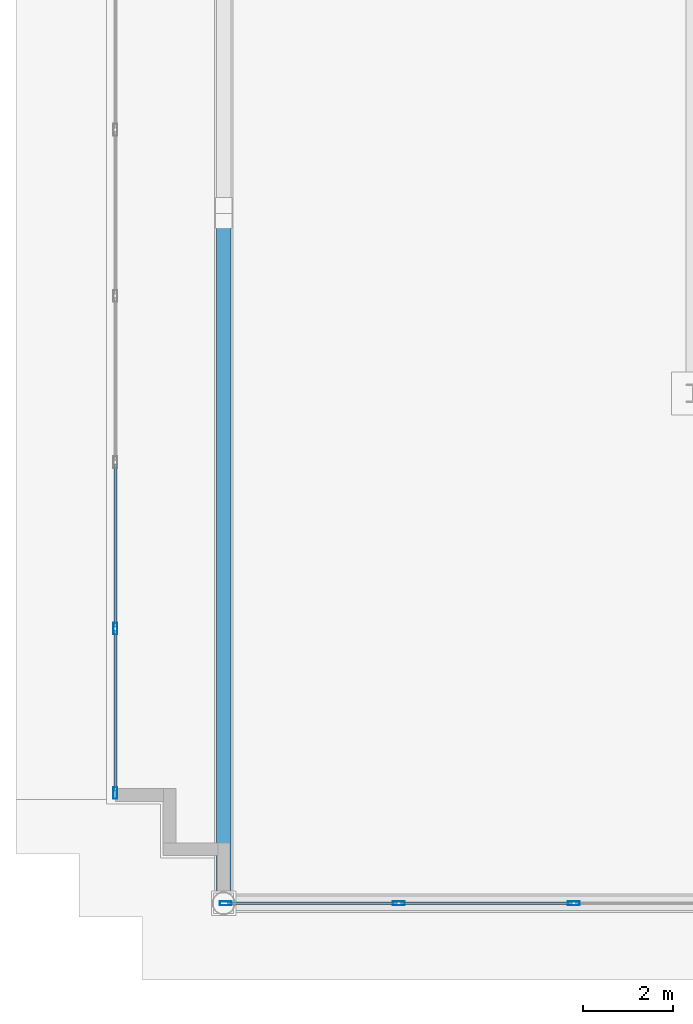
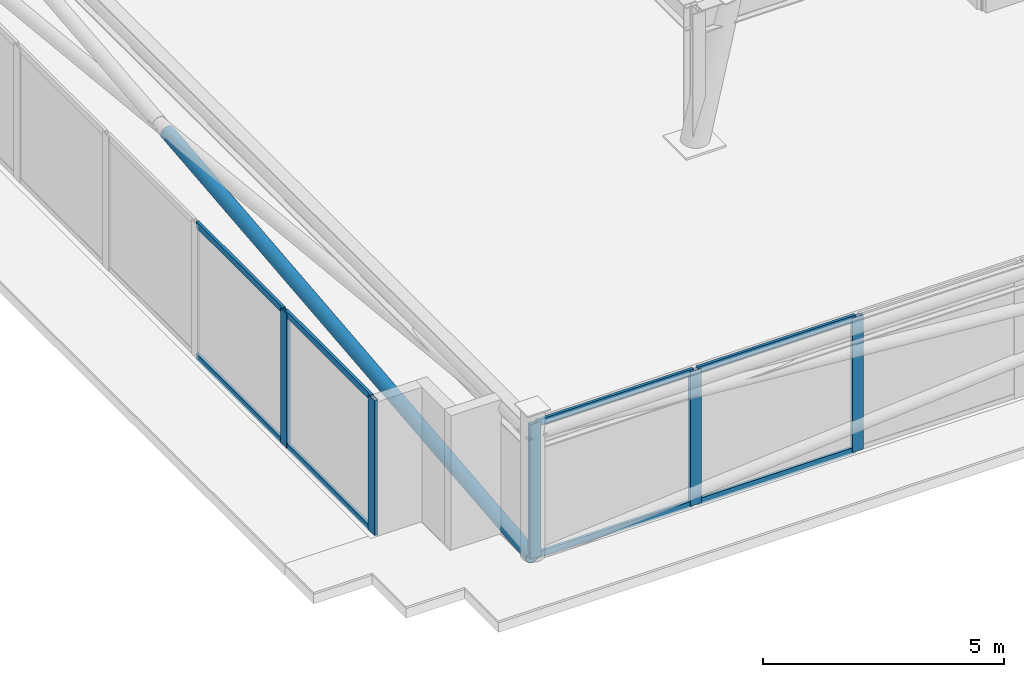
# One storey, part 2 of 23: 14 members, 2 elements without a shape of their own.
"""IFC4 building model written with IfcOpenShell, lengths in metres."""

import ifcopenshell
import ifcopenshell.guid

model = None  # the IFC model being written
_history = None  # IfcOwnerHistory: only IFC2X3 demands one
_inside = {}  # id of a spatial element -> (the spatial element, [elements in it])
_under = {}  # id of a project, library or spatial element -> (it, [spatial elements below it])
_declared = {}  # id of a project -> (the project, [libraries it declares])
_typed = {}  # id of a type object -> (the type object, [elements of that type])
_made_of = {}  # id of a material, layer set ... -> (it, [elements and type objects made of it])


def new_model(schema):
    """Start an empty IFC model of exactly this schema.

    Asked for "IFC4X3", IfcOpenShell would pick the latest addendum, in which some entities
    have other attributes; the version numbers below select the first issue.
    IFC2X3 requires an IfcOwnerHistory on every rooted entity: one is made here for all.
    """
    global model, _history
    if schema == "IFC4X3":
        model = ifcopenshell.file(schema_version=(4, 3, 0, 0))
    else:
        model = ifcopenshell.file(schema=schema)
    _inside.clear()
    _under.clear()
    _declared.clear()
    _typed.clear()
    _made_of.clear()
    _history = None
    if model.schema == "IFC2X3":
        org = make("IfcOrganization", Name="unknown")
        user = make(
            "IfcPersonAndOrganization",
            ThePerson=make("IfcPerson", FamilyName="unknown"),
            TheOrganization=org,
        )
        app = make(
            "IfcApplication",
            ApplicationDeveloper=org,
            Version="unknown",
            ApplicationFullName="unknown",
            ApplicationIdentifier="unknown",
        )
        _history = make(
            "IfcOwnerHistory",
            OwningUser=user,
            OwningApplication=app,
            ChangeAction="ADDED",
            CreationDate=0,
        )
    return model


def make(cls, **values):
    """One entity of the class cls with the attributes given. An attribute that is None is left unset."""
    return model.create_entity(
        cls, **{name: value for name, value in values.items() if value is not None}
    )


def rooted(cls, **values):
    """An entity with a GlobalId (a new one), such as an element, a storey or a relation."""
    return make(cls, GlobalId=ifcopenshell.guid.new(), OwnerHistory=_history, **values)


def si_unit(unit_type, name, prefix=None):
    """IfcSIUnit, for example si_unit("LENGTHUNIT", "METRE", prefix="MILLI")."""
    return make("IfcSIUnit", UnitType=unit_type, Prefix=prefix, Name=name)


def assignment(units):
    """IfcUnitAssignment: the units of a project."""
    return None if units is None else make("IfcUnitAssignment", Units=units)


def point(xyz):
    """IfcCartesianPoint."""
    return None if xyz is None else make("IfcCartesianPoint", Coordinates=xyz)


def direction(xyz):
    """IfcDirection."""
    return None if xyz is None else make("IfcDirection", DirectionRatios=xyz)


def frame(location, z_axis=None, x_axis=None):
    """IfcAxis2Placement3D, a coordinate frame: its origin and axes. An axis left out is left unset."""
    return make(
        "IfcAxis2Placement3D",
        Location=point(location),
        Axis=direction(z_axis),
        RefDirection=direction(x_axis),
    )


def frame_2d(location, x_axis=None):
    """IfcAxis2Placement2D, a coordinate frame in the plane: its origin and x axis."""
    return make(
        "IfcAxis2Placement2D", Location=point(location), RefDirection=direction(x_axis)
    )


def origin():
    """The frame at (0, 0, 0) with its axes left unset."""
    return frame((0.0, 0.0, 0.0))


def origin_2d():
    """The frame at (0, 0) in the plane with its x axis left unset."""
    return frame_2d((0.0, 0.0))


def place(relative_to, where):
    """IfcLocalPlacement: puts the frame where relative to a parent placement (None: the world)."""
    return make(
        "IfcLocalPlacement", PlacementRelTo=relative_to, RelativePlacement=where
    )


def context(
    kind, dimensions, precision=None, world=None, true_north=None, identifier=None
):
    """IfcGeometricRepresentationContext, for example the 3D "Model" context."""
    return make(
        "IfcGeometricRepresentationContext",
        ContextIdentifier=identifier,
        ContextType=kind,
        CoordinateSpaceDimension=dimensions,
        Precision=precision,
        WorldCoordinateSystem=world,
        TrueNorth=true_north,
    )


def subcontext(parent, identifier, kind, view, scale=None):
    """IfcGeometricRepresentationSubContext, for example "Body" below "Model"."""
    return make(
        "IfcGeometricRepresentationSubContext",
        ContextIdentifier=identifier,
        ContextType=kind,
        ParentContext=parent,
        TargetScale=scale,
        TargetView=view,
    )


def project(units=None, contexts=None):
    """IfcProject with its units and contexts."""
    return rooted(
        "IfcProject",
        Name="project",
        RepresentationContexts=contexts,
        UnitsInContext=assignment(units),
    )


def spatial(cls, under=None, at=None, **own):
    """A site, building, storey or space (cls), placed at a placement, below another one or the project."""
    s = rooted(cls, ObjectPlacement=at, **own)
    if under is not None:
        _under.setdefault(under.id(), (under, []))[1].append(s)
    return s


def profile(cls, at=None, kind="AREA", **sizes):
    """A parametric profile (cls). Its sizes go by their IFC names, for example OverallWidth=200.0."""
    return make(cls, ProfileType=kind, Position=at, **sizes)


def hollow_rectangle(**sizes):
    """IfcRectangleHollowProfileDef."""
    return profile("IfcRectangleHollowProfileDef", **sizes)


def hollow_circle(**sizes):
    """IfcCircleHollowProfileDef."""
    return profile("IfcCircleHollowProfileDef", **sizes)


def extrude(swept, where, along, depth):
    """IfcExtrudedAreaSolid: the profile swept, set in the frame where, extruded along a direction by depth."""
    return make(
        "IfcExtrudedAreaSolid",
        SweptArea=swept,
        Position=where,
        ExtrudedDirection=direction(along),
        Depth=depth,
    )


def shape(context_of_items, identifier, shape_type, items):
    """IfcShapeRepresentation: the items that make up one representation, for example the "Body"."""
    return make(
        "IfcShapeRepresentation",
        ContextOfItems=context_of_items,
        RepresentationIdentifier=identifier,
        RepresentationType=shape_type,
        Items=items,
    )


def material(Name=None, Category=None):
    """IfcMaterial."""
    return make("IfcMaterial", Name=Name, Category=Category)


def layer(
    of_material, thickness, ventilated=None, Name=None, Category=None, Priority=None
):
    """IfcMaterialLayer: one layer of a wall or slab, of a material (None: an air gap)."""
    return make(
        "IfcMaterialLayer",
        Material=of_material,
        LayerThickness=thickness,
        IsVentilated=ventilated,
        Name=Name,
        Category=Category,
        Priority=Priority,
    )


def layer_set(layers, Name=None):
    """IfcMaterialLayerSet."""
    return make("IfcMaterialLayerSet", MaterialLayers=layers, LayerSetName=Name)


def material_profile(
    of_material, cross_section, Name=None, Category=None, Priority=None
):
    """IfcMaterialProfile: a cross section and its material."""
    return make(
        "IfcMaterialProfile",
        Name=Name,
        Material=of_material,
        Profile=cross_section,
        Priority=Priority,
        Category=Category,
    )


def profile_set(profiles, Name=None, composite=None):
    """IfcMaterialProfileSet."""
    return make(
        "IfcMaterialProfileSet",
        Name=Name,
        MaterialProfiles=profiles,
        CompositeProfile=composite,
    )


def made_of(thing, what):
    """Note that an element or type object is made of a material, layer set ...; save() writes the relation."""
    if what is not None:
        _made_of.setdefault(what.id(), (what, []))[1].append(thing)
    return thing


def type_object(cls, material=None, **own):
    """A type object (cls), such as IfcWallType, which elements share."""
    return made_of(rooted(cls, **own), material)


def element(
    cls,
    number,
    at=None,
    inside=None,
    cuts=None,
    type_object=None,
    material=None,
    context=None,
    identifier="Body",
    shape_type=None,
    held_by="IfcProductDefinitionShape",
    body=None,
    shapes=None,
    **own,
):
    """One element of the class cls, such as IfcWall. Its Tag is "e" and its number.

    at: its placement. inside: the storey or other place that contains it. cuts: it is an
    opening in that element (IfcRelVoidsElement). A single representation is given by context,
    identifier, shape_type and body (its items); several are given by shapes. held_by: the class
    of the entity that holds the representations. save() writes the other relations.
    """
    e = rooted(cls, Tag="e%d" % number, ObjectPlacement=at, **own)
    if body is not None:
        shapes = [shape(context, identifier, shape_type, body)]
    if shapes is not None:
        e.Representation = make(held_by, Representations=shapes)
    if inside is not None:
        _inside.setdefault(inside.id(), (inside, []))[1].append(e)
    if cuts is not None:
        rooted(
            "IfcRelVoidsElement", RelatingBuildingElement=cuts, RelatedOpeningElement=e
        )
    if type_object is not None:
        _typed.setdefault(type_object.id(), (type_object, []))[1].append(e)
    return made_of(e, material)


def aggregate(whole, parts):
    """IfcRelAggregates: a whole, such as a stair, and the parts it consists of."""
    return rooted("IfcRelAggregates", RelatingObject=whole, RelatedObjects=parts)


def save(model, path):
    """Write the relations noted so far, then the file.

    IfcRelAggregates (storeys below a building ...), IfcRelContainedInSpatialStructure (elements
    in a storey), IfcRelDefinesByType, IfcRelAssociatesMaterial and IfcRelDeclares: one each for
    every whole, place, type object, material and project.
    """
    for whole, parts in _under.values():
        aggregate(whole, parts)
    for where, things in _inside.values():
        rooted(
            "IfcRelContainedInSpatialStructure",
            RelatedElements=things,
            RelatingStructure=where,
        )
    for kind, things in _typed.values():
        rooted("IfcRelDefinesByType", RelatedObjects=things, RelatingType=kind)
    for what, things in _made_of.values():
        rooted("IfcRelAssociatesMaterial", RelatedObjects=things, RelatingMaterial=what)
    for by, libraries in _declared.values():
        rooted("IfcRelDeclares", RelatingContext=by, RelatedDefinitions=libraries)
    model.write(path)


model = new_model("IFC4")

# Units and contexts
model_context = context("Model", 3, precision=1e-05, world=origin(), true_north=direction((0.0, 1.0)))
body_context = subcontext(model_context, "Body", "Model", "MODEL_VIEW")
ifc_project = project(units=[si_unit("LENGTHUNIT", "METRE"), si_unit("AREAUNIT", "SQUARE_METRE"), si_unit("VOLUMEUNIT", "CUBIC_METRE"), si_unit("PLANEANGLEUNIT", "RADIAN"), si_unit("MASSUNIT", "GRAM", prefix="KILO")], contexts=[model_context])

# Site, building, storey
site_placement = place(None, origin())
site = spatial("IfcSite", under=ifc_project, at=site_placement, CompositionType="ELEMENT")
building_placement = place(site_placement, origin())
building = spatial("IfcBuilding", under=site, at=building_placement, Name="Qobustan Lattice House", CompositionType="ELEMENT")
storey_placement = place(building_placement, frame((0.0, 0.0, 270.199951171875)))
storey = spatial("IfcBuildingStorey", under=building, at=storey_placement, Name="L76", CompositionType="ELEMENT", Elevation=270.199951171875)

# Curtain wall, members
ifc_material_1 = material(Name="Anodised aluminium and low-E glazing", Category="aluminium")
ifc_layer = layer(ifc_material_1, 0.219970703125)
ifc_layer_set = layer_set([ifc_layer], Name="Anodised aluminium and low-E glazing")
curtain_wall_type = type_object("IfcCurtainWallType", Name="CW-CRN-01", PredefinedType="USERDEFINED", material=ifc_layer_set)
curtain_wall_1_placement = place(storey_placement, origin())
curtain_wall_1 = element("IfcCurtainWall", 1, at=curtain_wall_1_placement, inside=storey, type_object=curtain_wall_type, Name="L76 glass-point crown faceted curtain wall 5", ObjectType="CURTAIN WALL", PredefinedType="USERDEFINED")
ifc_material_2 = material(Name="Anodised aluminium EN AW-6063 T6", Category="aluminium")
ifc_material_profile_1 = material_profile(ifc_material_2, hollow_rectangle(XDim=0.090087890625, YDim=0.260009765625, WallThickness=0.006103515625, at=origin_2d()), Name="CWM-CROWN-260x90")
ifc_profile_set_1 = profile_set([ifc_material_profile_1], Name="Anodised aluminium EN AW-6063 T6")
member_type_1 = type_object("IfcMemberType", Name="CWM-CRN-260", PredefinedType="MULLION", material=ifc_profile_set_1)
member_1_placement = place(storey_placement, frame((-22.0, -14.455078125, 0.0), z_axis=(0.0, 0.0, 1.0), x_axis=(-1.0, 0.0, 0.0)))
member_1 = element("IfcMember", 2, at=member_1_placement, type_object=member_type_1, Name="CW-CR mullion 1", PredefinedType="MULLION", context=body_context, shape_type="SweptSolid", body=[
    extrude(hollow_rectangle(XDim=0.090087890625, YDim=0.260009765625, WallThickness=0.006103515625, at=origin_2d()), origin(), (0.0, 0.0, 1.0), 3.400146484375),
])
member_2_placement = place(storey_placement, frame((-22.0, -10.814208984375, 0.0), z_axis=(0.0, 0.0, 1.0), x_axis=(-1.0, 0.0, 0.0)))
member_2 = element("IfcMember", 3, at=member_2_placement, type_object=member_type_1, Name="CW-CR mullion 2", PredefinedType="MULLION", context=body_context, shape_type="SweptSolid", body=[
    extrude(hollow_rectangle(XDim=0.090087890625, YDim=0.260009765625, WallThickness=0.006103515625, at=origin_2d()), origin(), (0.0, 0.0, 1.0), 3.400146484375),
])

curtain_wall_2_placement = place(storey_placement, origin())
curtain_wall_2 = element("IfcCurtainWall", 4, at=curtain_wall_2_placement, inside=storey, type_object=curtain_wall_type, Name="L76 glass-point crown faceted curtain wall 20", ObjectType="CURTAIN WALL", PredefinedType="USERDEFINED")
member_3_placement = place(storey_placement, frame((-11.840087890625, -16.89990234375, 0.0), z_axis=(0.0, 0.0, 1.0), x_axis=(0.0, -1.0, 0.0)))
member_3 = element("IfcMember", 5, at=member_3_placement, type_object=member_type_1, Name="CW-CR mullion 9", PredefinedType="MULLION", context=body_context, shape_type="SweptSolid", body=[
    extrude(hollow_rectangle(XDim=0.090087890625, YDim=0.260009765625, WallThickness=0.006103515625, at=origin_2d()), origin(), (0.0, 0.0, 1.0), 3.400146484375),
])
member_4_placement = place(storey_placement, frame((-15.719970703125, -16.89990234375, 0.0), z_axis=(0.0, 0.0, 1.0), x_axis=(0.0, -1.0, 0.0)))
member_4 = element("IfcMember", 6, at=member_4_placement, type_object=member_type_1, Name="CW-CR mullion 10", PredefinedType="MULLION", context=body_context, shape_type="SweptSolid", body=[
    extrude(hollow_rectangle(XDim=0.090087890625, YDim=0.260009765625, WallThickness=0.006103515625, at=origin_2d()), origin(), (0.0, 0.0, 1.0), 3.400146484375),
])
member_5_placement = place(storey_placement, frame((-19.554931640625, -16.89990234375, 0.0), z_axis=(0.0, 0.0, 1.0), x_axis=(0.0, -1.0, 0.0)))
member_5 = element("IfcMember", 7, at=member_5_placement, type_object=member_type_1, Name="CW-CR mullion 11", PredefinedType="MULLION", context=body_context, shape_type="SweptSolid", body=[
    extrude(hollow_rectangle(XDim=0.090087890625, YDim=0.260009765625, WallThickness=0.006103515625, at=origin_2d()), origin(), (0.0, 0.0, 1.0), 3.400146484375),
])

# Member
ifc_material_3 = material(Name="Anodised aluminium EN AW-6063 T6", Category="aluminium")
ifc_material_profile_2 = material_profile(ifc_material_3, hollow_rectangle(XDim=0.06494140625, YDim=0.159912109375, WallThickness=0.00390625, at=origin_2d()), Name="CWT-160x65")
ifc_profile_set_2 = profile_set([ifc_material_profile_2], Name="Anodised aluminium EN AW-6063 T6")
member_type_2 = type_object("IfcMemberType", Name="CWT-HOR-160", PredefinedType="USERDEFINED", material=ifc_profile_set_2)
member_6_placement = place(storey_placement, frame((-22.0, -14.409912109375, 0.032470703125), z_axis=(0.0, 1.0, 0.0), x_axis=(-1.0, 0.0, 0.0)))
member_6 = element("IfcMember", 8, at=member_6_placement, type_object=member_type_2, Name="CW-CR transom 1.1", ObjectType="TRANSOM", PredefinedType="USERDEFINED", context=body_context, shape_type="SweptSolid", body=[
    extrude(hollow_rectangle(XDim=0.06494140625, YDim=0.159912109375, WallThickness=0.00390625, at=origin_2d()), origin(), (0.0, 0.0, 1.0), 3.550537109375),
])

member_7_placement = place(storey_placement, frame((-22.0, -14.409912109375, 3.367431640625), z_axis=(0.0, 1.0, 0.0), x_axis=(-1.0, 0.0, 0.0)))
member_7 = element("IfcMember", 9, at=member_7_placement, type_object=member_type_2, Name="CW-CR transom 1.2", ObjectType="TRANSOM", PredefinedType="USERDEFINED", context=body_context, shape_type="SweptSolid", body=[
    extrude(hollow_rectangle(XDim=0.06494140625, YDim=0.159912109375, WallThickness=0.00390625, at=origin_2d()), origin(), (0.0, 0.0, 1.0), 3.550537109375),
])

member_8_placement = place(storey_placement, frame((-22.0, -10.769287109375, 0.032470703125), z_axis=(0.0, 1.0, 0.0), x_axis=(-1.0, 0.0, 0.0)))
member_8 = element("IfcMember", 10, at=member_8_placement, type_object=member_type_2, Name="CW-CR transom 2.1", ObjectType="TRANSOM", PredefinedType="USERDEFINED", context=body_context, shape_type="SweptSolid", body=[
    extrude(hollow_rectangle(XDim=0.06494140625, YDim=0.159912109375, WallThickness=0.00390625, at=origin_2d()), origin(), (0.0, 0.0, 1.0), 3.595703125),
])

member_9_placement = place(storey_placement, frame((-22.0, -10.769287109375, 3.367431640625), z_axis=(0.0, 1.0, 0.0), x_axis=(-1.0, 0.0, 0.0)))
member_9 = element("IfcMember", 11, at=member_9_placement, type_object=member_type_2, Name="CW-CR transom 2.2", ObjectType="TRANSOM", PredefinedType="USERDEFINED", context=body_context, shape_type="SweptSolid", body=[
    extrude(hollow_rectangle(XDim=0.06494140625, YDim=0.159912109375, WallThickness=0.00390625, at=origin_2d()), origin(), (0.0, 0.0, 1.0), 3.595703125),
])

aggregate(curtain_wall_1, [member_1, member_2, member_6, member_7, member_8, member_9])

member_10_placement = place(storey_placement, frame((-11.885009765625, -16.89990234375, 0.032470703125), z_axis=(-1.0, 0.0, 0.0), x_axis=(0.0, -1.0, 0.0)))
member_10 = element("IfcMember", 12, at=member_10_placement, type_object=member_type_2, Name="CW-CR transom 9.1", ObjectType="TRANSOM", PredefinedType="USERDEFINED", context=body_context, shape_type="SweptSolid", body=[
    extrude(hollow_rectangle(XDim=0.06494140625, YDim=0.159912109375, WallThickness=0.00390625, at=origin_2d()), origin(), (0.0, 0.0, 1.0), 3.7900390625),
])

member_11_placement = place(storey_placement, frame((-11.885009765625, -16.89990234375, 3.367431640625), z_axis=(-1.0, 0.0, 0.0), x_axis=(0.0, -1.0, 0.0)))
member_11 = element("IfcMember", 13, at=member_11_placement, type_object=member_type_2, Name="CW-CR transom 9.2", ObjectType="TRANSOM", PredefinedType="USERDEFINED", context=body_context, shape_type="SweptSolid", body=[
    extrude(hollow_rectangle(XDim=0.06494140625, YDim=0.159912109375, WallThickness=0.00390625, at=origin_2d()), origin(), (0.0, 0.0, 1.0), 3.7900390625),
])

member_12_placement = place(storey_placement, frame((-15.764892578125, -16.89990234375, 0.032470703125), z_axis=(-1.0, 0.0, 0.0), x_axis=(0.0, -1.0, 0.0)))
member_12 = element("IfcMember", 14, at=member_12_placement, type_object=member_type_2, Name="CW-CR transom 10.1", ObjectType="TRANSOM", PredefinedType="USERDEFINED", context=body_context, shape_type="SweptSolid", body=[
    extrude(hollow_rectangle(XDim=0.06494140625, YDim=0.159912109375, WallThickness=0.00390625, at=origin_2d()), origin(), (0.0, 0.0, 1.0), 3.7451171875),
])

member_13_placement = place(storey_placement, frame((-15.764892578125, -16.89990234375, 3.367431640625), z_axis=(-1.0, 0.0, 0.0), x_axis=(0.0, -1.0, 0.0)))
member_13 = element("IfcMember", 15, at=member_13_placement, type_object=member_type_2, Name="CW-CR transom 10.2", ObjectType="TRANSOM", PredefinedType="USERDEFINED", context=body_context, shape_type="SweptSolid", body=[
    extrude(hollow_rectangle(XDim=0.06494140625, YDim=0.159912109375, WallThickness=0.00390625, at=origin_2d()), origin(), (0.0, 0.0, 1.0), 3.7451171875),
])

aggregate(curtain_wall_2, [member_3, member_4, member_5, member_10, member_11, member_12, member_13])

ifc_material_4 = material(Name="Steel S355", Category="steel")
ifc_material_profile_3 = material_profile(ifc_material_4, hollow_circle(Radius=0.161865234375, WallThickness=0.012451171875, at=origin_2d()), Name="CHS323.9x12.5")
ifc_profile_set_3 = profile_set([ifc_material_profile_3], Name="Steel S355")
member_type_3 = type_object("IfcMemberType", Name="MEM-CBR-CHS324", PredefinedType="BRACE", material=ifc_profile_set_3)
member_14_placement = place(storey_placement, frame((-19.60009765625, -16.89990234375, 0.01513671875), z_axis=(0.0, 0.994693662734, 0.102881083373), x_axis=(-1.0, 0.0, 0.0)))
element("IfcMember", 16, at=member_14_placement, inside=storey, type_object=member_type_3, Name="L76 crown diagrid split brace 4B lower", PredefinedType="BRACE", context=body_context, shape_type="SweptSolid", body=[
    extrude(hollow_circle(Radius=0.161865234375, WallThickness=0.012451171875, at=origin_2d()), origin(), (0.0, 0.0, 1.0), 15.213623046875),
])

save(model, "model.ifc")
